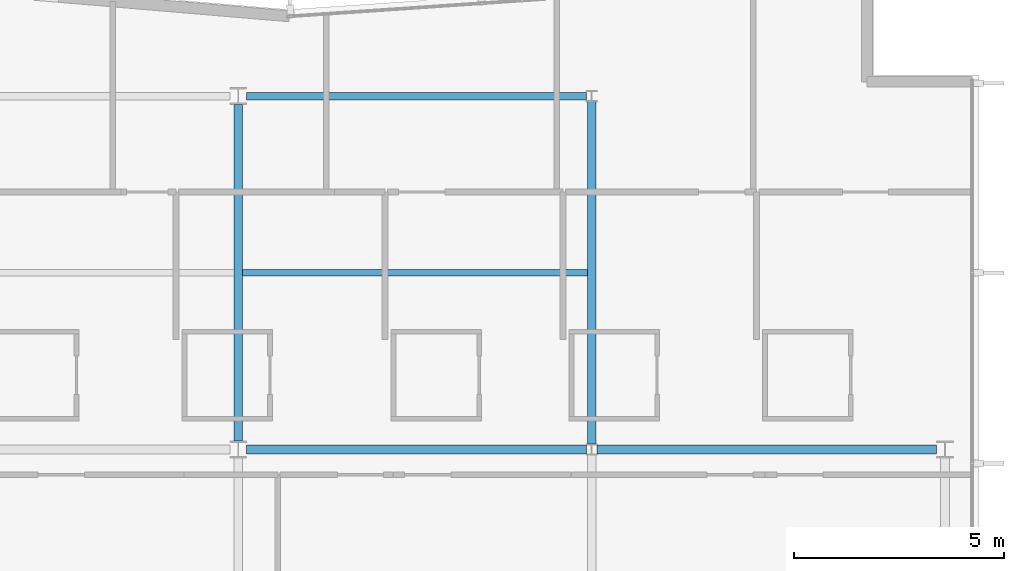
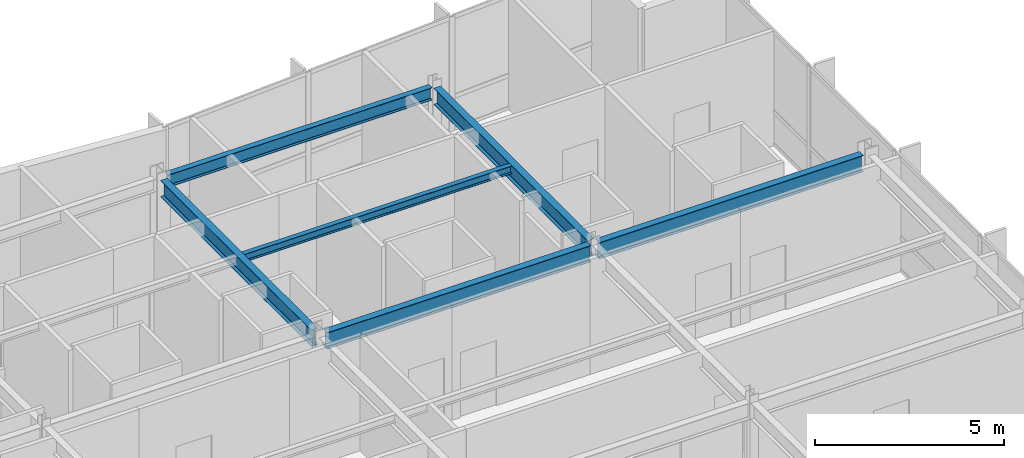
# One storey, part 6 of 17: 6 beams.
"""IFC4 building model written with IfcOpenShell, lengths in metres."""

import ifcopenshell
import ifcopenshell.guid

model = None  # the IFC model being written
_history = None  # IfcOwnerHistory: only IFC2X3 demands one
_inside = {}  # id of a spatial element -> (the spatial element, [elements in it])
_under = {}  # id of a project, library or spatial element -> (it, [spatial elements below it])
_declared = {}  # id of a project -> (the project, [libraries it declares])
_typed = {}  # id of a type object -> (the type object, [elements of that type])
_made_of = {}  # id of a material, layer set ... -> (it, [elements and type objects made of it])


def new_model(schema):
    """Start an empty IFC model of exactly this schema.

    Asked for "IFC4X3", IfcOpenShell would pick the latest addendum, in which some entities
    have other attributes; the version numbers below select the first issue.
    IFC2X3 requires an IfcOwnerHistory on every rooted entity: one is made here for all.
    """
    global model, _history
    if schema == "IFC4X3":
        model = ifcopenshell.file(schema_version=(4, 3, 0, 0))
    else:
        model = ifcopenshell.file(schema=schema)
    _inside.clear()
    _under.clear()
    _declared.clear()
    _typed.clear()
    _made_of.clear()
    _history = None
    if model.schema == "IFC2X3":
        org = make("IfcOrganization", Name="unknown")
        user = make(
            "IfcPersonAndOrganization",
            ThePerson=make("IfcPerson", FamilyName="unknown"),
            TheOrganization=org,
        )
        app = make(
            "IfcApplication",
            ApplicationDeveloper=org,
            Version="unknown",
            ApplicationFullName="unknown",
            ApplicationIdentifier="unknown",
        )
        _history = make(
            "IfcOwnerHistory",
            OwningUser=user,
            OwningApplication=app,
            ChangeAction="ADDED",
            CreationDate=0,
        )
    return model


def make(cls, **values):
    """One entity of the class cls with the attributes given. An attribute that is None is left unset."""
    return model.create_entity(
        cls, **{name: value for name, value in values.items() if value is not None}
    )


def rooted(cls, **values):
    """An entity with a GlobalId (a new one), such as an element, a storey or a relation."""
    return make(cls, GlobalId=ifcopenshell.guid.new(), OwnerHistory=_history, **values)


def si_unit(unit_type, name, prefix=None):
    """IfcSIUnit, for example si_unit("LENGTHUNIT", "METRE", prefix="MILLI")."""
    return make("IfcSIUnit", UnitType=unit_type, Prefix=prefix, Name=name)


def assignment(units):
    """IfcUnitAssignment: the units of a project."""
    return None if units is None else make("IfcUnitAssignment", Units=units)


def point(xyz):
    """IfcCartesianPoint."""
    return None if xyz is None else make("IfcCartesianPoint", Coordinates=xyz)


def direction(xyz):
    """IfcDirection."""
    return None if xyz is None else make("IfcDirection", DirectionRatios=xyz)


def frame(location, z_axis=None, x_axis=None):
    """IfcAxis2Placement3D, a coordinate frame: its origin and axes. An axis left out is left unset."""
    return make(
        "IfcAxis2Placement3D",
        Location=point(location),
        Axis=direction(z_axis),
        RefDirection=direction(x_axis),
    )


def frame_2d(location, x_axis=None):
    """IfcAxis2Placement2D, a coordinate frame in the plane: its origin and x axis."""
    return make(
        "IfcAxis2Placement2D", Location=point(location), RefDirection=direction(x_axis)
    )


def origin():
    """The frame at (0, 0, 0) with its axes left unset."""
    return frame((0.0, 0.0, 0.0))


def origin_2d():
    """The frame at (0, 0) in the plane with its x axis left unset."""
    return frame_2d((0.0, 0.0))


def place(relative_to, where):
    """IfcLocalPlacement: puts the frame where relative to a parent placement (None: the world)."""
    return make(
        "IfcLocalPlacement", PlacementRelTo=relative_to, RelativePlacement=where
    )


def context(
    kind, dimensions, precision=None, world=None, true_north=None, identifier=None
):
    """IfcGeometricRepresentationContext, for example the 3D "Model" context."""
    return make(
        "IfcGeometricRepresentationContext",
        ContextIdentifier=identifier,
        ContextType=kind,
        CoordinateSpaceDimension=dimensions,
        Precision=precision,
        WorldCoordinateSystem=world,
        TrueNorth=true_north,
    )


def subcontext(parent, identifier, kind, view, scale=None):
    """IfcGeometricRepresentationSubContext, for example "Body" below "Model"."""
    return make(
        "IfcGeometricRepresentationSubContext",
        ContextIdentifier=identifier,
        ContextType=kind,
        ParentContext=parent,
        TargetScale=scale,
        TargetView=view,
    )


def project(units=None, contexts=None):
    """IfcProject with its units and contexts."""
    return rooted(
        "IfcProject",
        Name="project",
        RepresentationContexts=contexts,
        UnitsInContext=assignment(units),
    )


def spatial(cls, under=None, at=None, **own):
    """A site, building, storey or space (cls), placed at a placement, below another one or the project."""
    s = rooted(cls, ObjectPlacement=at, **own)
    if under is not None:
        _under.setdefault(under.id(), (under, []))[1].append(s)
    return s


def profile(cls, at=None, kind="AREA", **sizes):
    """A parametric profile (cls). Its sizes go by their IFC names, for example OverallWidth=200.0."""
    return make(cls, ProfileType=kind, Position=at, **sizes)


def i_section(**sizes):
    """IfcIShapeProfileDef."""
    return profile("IfcIShapeProfileDef", **sizes)


def extrude(swept, where, along, depth):
    """IfcExtrudedAreaSolid: the profile swept, set in the frame where, extruded along a direction by depth."""
    return make(
        "IfcExtrudedAreaSolid",
        SweptArea=swept,
        Position=where,
        ExtrudedDirection=direction(along),
        Depth=depth,
    )


def shape(context_of_items, identifier, shape_type, items):
    """IfcShapeRepresentation: the items that make up one representation, for example the "Body"."""
    return make(
        "IfcShapeRepresentation",
        ContextOfItems=context_of_items,
        RepresentationIdentifier=identifier,
        RepresentationType=shape_type,
        Items=items,
    )


def material(Name=None, Category=None):
    """IfcMaterial."""
    return make("IfcMaterial", Name=Name, Category=Category)


def material_profile(
    of_material, cross_section, Name=None, Category=None, Priority=None
):
    """IfcMaterialProfile: a cross section and its material."""
    return make(
        "IfcMaterialProfile",
        Name=Name,
        Material=of_material,
        Profile=cross_section,
        Priority=Priority,
        Category=Category,
    )


def profile_set(profiles, Name=None, composite=None):
    """IfcMaterialProfileSet."""
    return make(
        "IfcMaterialProfileSet",
        Name=Name,
        MaterialProfiles=profiles,
        CompositeProfile=composite,
    )


def made_of(thing, what):
    """Note that an element or type object is made of a material, layer set ...; save() writes the relation."""
    if what is not None:
        _made_of.setdefault(what.id(), (what, []))[1].append(thing)
    return thing


def type_object(cls, material=None, **own):
    """A type object (cls), such as IfcWallType, which elements share."""
    return made_of(rooted(cls, **own), material)


def element(
    cls,
    number,
    at=None,
    inside=None,
    cuts=None,
    type_object=None,
    material=None,
    context=None,
    identifier="Body",
    shape_type=None,
    held_by="IfcProductDefinitionShape",
    body=None,
    shapes=None,
    **own,
):
    """One element of the class cls, such as IfcWall. Its Tag is "e" and its number.

    at: its placement. inside: the storey or other place that contains it. cuts: it is an
    opening in that element (IfcRelVoidsElement). A single representation is given by context,
    identifier, shape_type and body (its items); several are given by shapes. held_by: the class
    of the entity that holds the representations. save() writes the other relations.
    """
    e = rooted(cls, Tag="e%d" % number, ObjectPlacement=at, **own)
    if body is not None:
        shapes = [shape(context, identifier, shape_type, body)]
    if shapes is not None:
        e.Representation = make(held_by, Representations=shapes)
    if inside is not None:
        _inside.setdefault(inside.id(), (inside, []))[1].append(e)
    if cuts is not None:
        rooted(
            "IfcRelVoidsElement", RelatingBuildingElement=cuts, RelatedOpeningElement=e
        )
    if type_object is not None:
        _typed.setdefault(type_object.id(), (type_object, []))[1].append(e)
    return made_of(e, material)


def aggregate(whole, parts):
    """IfcRelAggregates: a whole, such as a stair, and the parts it consists of."""
    return rooted("IfcRelAggregates", RelatingObject=whole, RelatedObjects=parts)


def save(model, path):
    """Write the relations noted so far, then the file.

    IfcRelAggregates (storeys below a building ...), IfcRelContainedInSpatialStructure (elements
    in a storey), IfcRelDefinesByType, IfcRelAssociatesMaterial and IfcRelDeclares: one each for
    every whole, place, type object, material and project.
    """
    for whole, parts in _under.values():
        aggregate(whole, parts)
    for where, things in _inside.values():
        rooted(
            "IfcRelContainedInSpatialStructure",
            RelatedElements=things,
            RelatingStructure=where,
        )
    for kind, things in _typed.values():
        rooted("IfcRelDefinesByType", RelatedObjects=things, RelatingType=kind)
    for what, things in _made_of.values():
        rooted("IfcRelAssociatesMaterial", RelatedObjects=things, RelatingMaterial=what)
    for by, libraries in _declared.values():
        rooted("IfcRelDeclares", RelatingContext=by, RelatedDefinitions=libraries)
    model.write(path)


model = new_model("IFC4")

# Units and contexts
model_context = context("Model", 3, precision=1e-05, world=origin(), true_north=direction((0.0, 1.0)))
body_context = subcontext(model_context, "Body", "Model", "MODEL_VIEW")
ifc_project = project(units=[si_unit("LENGTHUNIT", "METRE"), si_unit("AREAUNIT", "SQUARE_METRE"), si_unit("VOLUMEUNIT", "CUBIC_METRE"), si_unit("PLANEANGLEUNIT", "RADIAN"), si_unit("MASSUNIT", "GRAM", prefix="KILO")], contexts=[model_context])

# Site, building, storey
site_placement = place(None, origin())
site = spatial("IfcSite", under=ifc_project, at=site_placement, CompositionType="ELEMENT")
building_placement = place(site_placement, origin())
building = spatial("IfcBuilding", under=site, at=building_placement, Name="Varnakote Quay Hospital", CompositionType="ELEMENT")
storey_placement = place(building_placement, frame((0.0, 0.0, 219.75)))
storey = spatial("IfcBuildingStorey", under=building, at=storey_placement, Name="L54", CompositionType="ELEMENT", Elevation=219.75)

# Beams
ifc_material_1 = material(Name="Structural steel AS/NZS 3679.1 Grade 350 L0 (fy 340 MPa)", Category="steel")
ifc_material_profile_1 = material_profile(ifc_material_1, i_section(OverallWidth=0.208984375, OverallDepth=0.528076171875, WebThickness=0.009521484375, FlangeThickness=0.01318359375, FilletRadius=0.013916015625, at=origin_2d()), Name="530UB82.0")
ifc_profile_set_1 = profile_set([ifc_material_profile_1], Name="Structural steel AS/NZS 3679.1 Grade 350 L0 (fy 340 MPa)")
beam_type_1 = type_object("IfcBeamType", Name="BM-STL-530UB82-0", PredefinedType="BEAM", material=ifc_profile_set_1)
beam_1_placement = place(storey_placement, frame((33.60009765625, 20.60205078125, 3.446044921875), z_axis=(0.0, 1.0, 0.0), x_axis=(-1.0, 0.0, 0.0)))
element("IfcBeam", 1, at=beam_1_placement, inside=storey, type_object=beam_type_1, Name="L54 Primary Tie Beam", PredefinedType="BEAM", context=body_context, shape_type="SweptSolid", body=[
    extrude(i_section(OverallWidth=0.208984375, OverallDepth=0.528076171875, WebThickness=0.009521484375, FlangeThickness=0.01318359375, FilletRadius=0.013916015625, at=origin_2d()), origin(), (0.0, 0.0, 1.0), 7.995849609375),
])
beam_2_placement = place(storey_placement, frame((42.0, 20.530029296875, 3.446044921875), z_axis=(0.0, 1.0, 0.0), x_axis=(-1.0, 0.0, 0.0)))
element("IfcBeam", 2, at=beam_2_placement, inside=storey, type_object=beam_type_1, Name="L54 Primary Tie Beam", PredefinedType="BEAM", context=body_context, shape_type="SweptSolid", body=[
    extrude(i_section(OverallWidth=0.208984375, OverallDepth=0.528076171875, WebThickness=0.009521484375, FlangeThickness=0.01318359375, FilletRadius=0.013916015625, at=origin_2d()), origin(), (0.0, 0.0, 1.0), 8.139892578125),
])
ifc_material_2 = material(Name="Structural steel AS/NZS 3679.1 Grade 350 L0 (fy 340 MPa)", Category="steel")
ifc_material_profile_2 = material_profile(ifc_material_2, i_section(OverallWidth=0.208984375, OverallDepth=0.532958984375, WebThickness=0.01025390625, FlangeThickness=0.015625, FilletRadius=0.013916015625, at=origin_2d()), Name="530UB92.4")
ifc_profile_set_2 = profile_set([ifc_material_profile_2], Name="Structural steel AS/NZS 3679.1 Grade 350 L0 (fy 340 MPa)")
beam_type_2 = type_object("IfcBeamType", Name="BM-STL-530UB92-4", PredefinedType="BEAM", material=ifc_profile_set_2)
for number, where, z_axis, x_axis, name in (
    (3, (33.800048828125, 20.39990234375, 3.443603515625), (1.0, 0.0, 0.0), (0.0, 1.0, 0.0), "L54 Primary Floor Beam"),
    (4, (42.1279296875, 20.39990234375, 3.443603515625), (1.0, 0.0, 0.0), (0.0, 1.0, 0.0), "L54 Primary Floor Beam"),
):
    element("IfcBeam", number, at=place(storey_placement, frame(where, z_axis=z_axis, x_axis=x_axis)), inside=storey, type_object=beam_type_2, Name=name, PredefinedType="BEAM", context=body_context, shape_type="SweptSolid", body=[
        extrude(i_section(OverallWidth=0.208984375, OverallDepth=0.532958984375, WebThickness=0.01025390625, FlangeThickness=0.015625, FilletRadius=0.013916015625, at=origin_2d()), origin(), (0.0, 0.0, 1.0), 8.072021484375),
    ])
ifc_material_3 = material(Name="Structural steel AS/NZS 3679.1 Grade 350 L0 (fy 340 MPa)", Category="steel")
ifc_material_profile_3 = material_profile(ifc_material_3, i_section(OverallWidth=0.14599609375, OverallDepth=0.256103515625, WebThickness=0.00634765625, FlangeThickness=0.010986328125, FilletRadius=0.0087890625, at=origin_2d()), Name="250UB37.3")
ifc_profile_set_3 = profile_set([ifc_material_profile_3], Name="Structural steel AS/NZS 3679.1 Grade 350 L0 (fy 340 MPa)")
beam_type_3 = type_object("IfcBeamType", Name="JST-STL-250UB37-3", PredefinedType="JOIST", material=ifc_profile_set_3)
beam_3_placement = place(storey_placement, frame((33.70458984375, 24.60009765625, 3.58203125), z_axis=(1.0, 0.0, 0.0), x_axis=(0.0, 1.0, 0.0)))
element("IfcBeam", 5, at=beam_3_placement, inside=storey, type_object=beam_type_3, Name="L54 Composite Floor Joist", PredefinedType="JOIST", context=body_context, shape_type="SweptSolid", body=[
    extrude(i_section(OverallWidth=0.14599609375, OverallDepth=0.256103515625, WebThickness=0.00634765625, FlangeThickness=0.010986328125, FilletRadius=0.0087890625, at=origin_2d()), origin(), (0.0, 0.0, 1.0), 8.19091796875),
])
ifc_material_4 = material(Name="Structural steel AS/NZS 3679.1 Grade 350 L0 (fy 340 MPa)", Category="steel")
ifc_material_profile_4 = material_profile(ifc_material_4, i_section(OverallWidth=0.177978515625, OverallDepth=0.406005859375, WebThickness=0.0078125, FlangeThickness=0.0126953125, FilletRadius=0.011474609375, at=origin_2d()), Name="410UB59.7")
ifc_profile_set_4 = profile_set([ifc_material_profile_4], Name="Structural steel AS/NZS 3679.1 Grade 350 L0 (fy 340 MPa)")
beam_type_4 = type_object("IfcBeamType", Name="SPN-STL-410UB59-7", PredefinedType="SPANDREL", material=ifc_profile_set_4)
beam_4_placement = place(storey_placement, frame((33.800048828125, 28.800048828125, 3.507080078125), z_axis=(1.0, 0.0, 0.0), x_axis=(0.0, 1.0, 0.0)))
element("IfcBeam", 6, at=beam_4_placement, inside=storey, type_object=beam_type_4, Name="L54 Perimeter Spandrel Beam", PredefinedType="SPANDREL", context=body_context, shape_type="SweptSolid", body=[
    extrude(i_section(OverallWidth=0.177978515625, OverallDepth=0.406005859375, WebThickness=0.0078125, FlangeThickness=0.0126953125, FilletRadius=0.011474609375, at=origin_2d()), origin(), (0.0, 0.0, 1.0), 8.072021484375),
])

save(model, "model.ifc")
